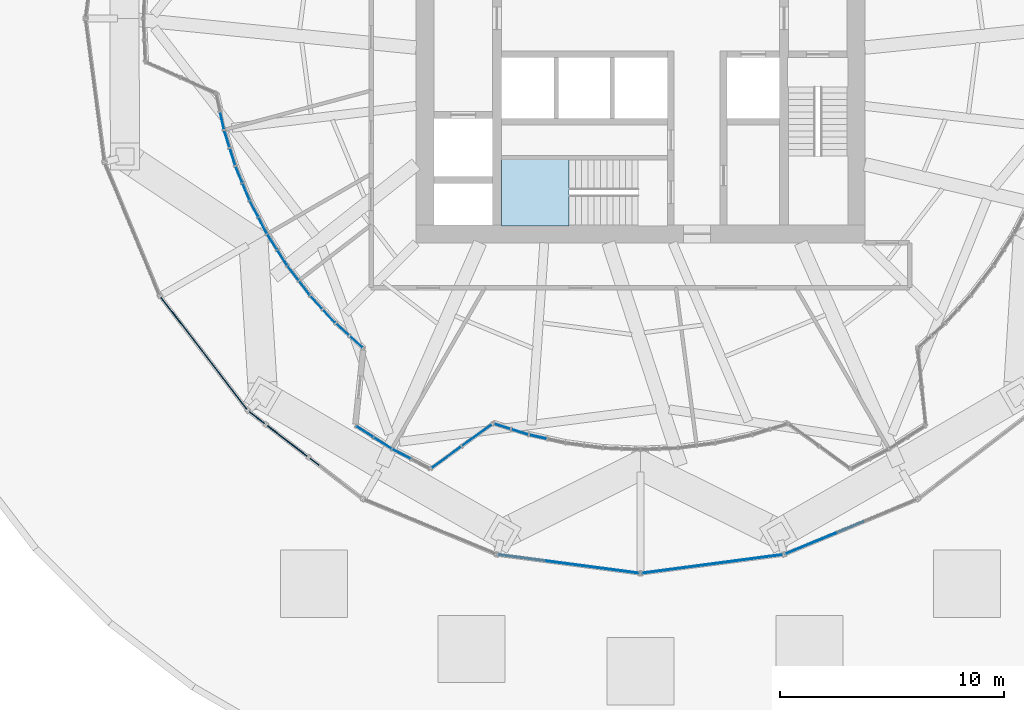
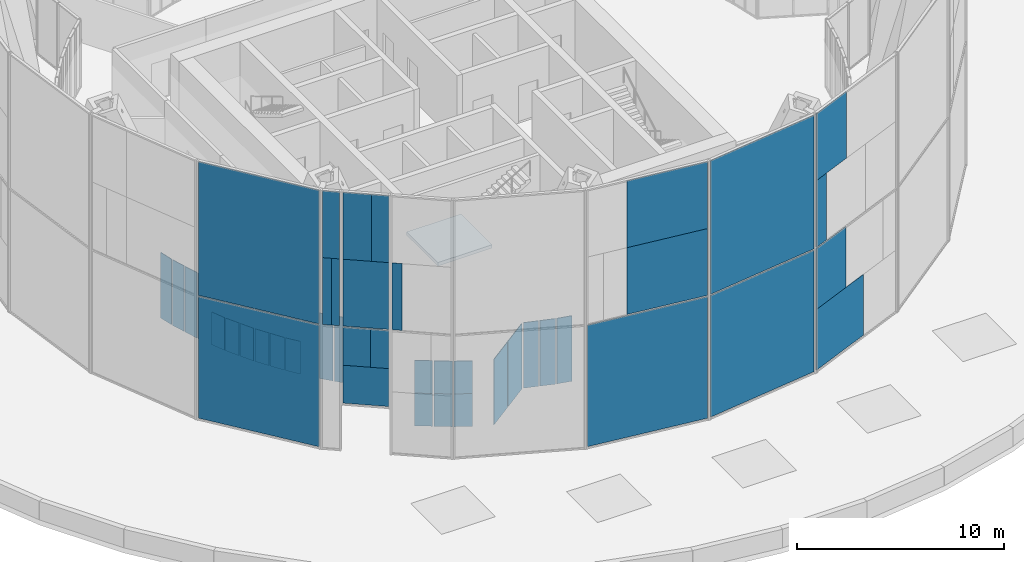
# One storey, part 16 of 27: 53 plates, 1 slab, 21 elements without a shape of their own.
"""IFC4 building model written with IfcOpenShell, lengths in metres."""

from ifc_helpers import new_model, si_unit, direction, frame, origin, origin_2d, place, context, subcontext, project, spatial, polyline, rectangle, outline, extrude, material, layer, layer_set, type_object, element, aggregate, save


model = new_model("IFC4")

# Units and contexts
model_context = context("Model", 3, precision=1e-05, world=origin(), true_north=direction((0.0, 1.0)))
body_context = subcontext(model_context, "Body", "Model", "MODEL_VIEW")
ifc_project = project(units=[si_unit("LENGTHUNIT", "METRE"), si_unit("AREAUNIT", "SQUARE_METRE"), si_unit("VOLUMEUNIT", "CUBIC_METRE"), si_unit("PLANEANGLEUNIT", "RADIAN"), si_unit("MASSUNIT", "GRAM", prefix="KILO")], contexts=[model_context])

# Site, building, storey
site_placement = place(None, origin())
site = spatial("IfcSite", under=ifc_project, at=site_placement, CompositionType="ELEMENT")
building_placement = place(site_placement, origin())
building = spatial("IfcBuilding", under=site, at=building_placement, Name="Golbaran Civic Tower", CompositionType="ELEMENT")
storey_placement = place(building_placement, frame((0.0, 0.0, 21.0)))
storey = spatial("IfcBuildingStorey", under=building, at=storey_placement, Name="L04", CompositionType="ELEMENT", Elevation=21.0)

# Curtain wall, plate
ifc_material_1 = material(Name="Aluminium and glass", Category="aluminium")
curtain_wall_type_1 = type_object("IfcCurtainWallType", Name="INNER SKIN CURTAIN WALL", PredefinedType="NOTDEFINED", material=ifc_material_1)
curtain_wall_1_placement = place(storey_placement, origin())
curtain_wall_1 = element("IfcCurtainWall", 1, at=curtain_wall_1_placement, inside=storey, type_object=curtain_wall_type_1, Name="Inner skin L04 facet 39 CW1", ObjectType="INNER SKIN", PredefinedType="USERDEFINED")
ifc_material_2 = material(Name="Clear insulating glass", Category="glass")
ifc_layer_1 = layer(ifc_material_2, 0.031982421875, Name="Clear insulating glass")
ifc_layer_set_1 = layer_set([ifc_layer_1], Name="Clear insulating glass")
plate_type_1 = type_object("IfcPlateType", Name="INNER SKIN CURTAIN WALL GLAZED PANEL", PredefinedType="CURTAIN_PANEL", material=ifc_layer_set_1)
plate_1_placement = place(storey_placement, frame((-18.65087890625, -4.56396484375, 0.06494140625), z_axis=(0.0, 0.0, 1.0), x_axis=(0.216439613921, -0.976296007124, 0.0)))
plate_1 = element("IfcPlate", 2, at=plate_1_placement, type_object=plate_type_1, Name="CW1 panel 2.1", PredefinedType="CURTAIN_PANEL", context=body_context, shape_type="SweptSolid", body=[
    extrude(rectangle(XDim=0.773193359375, YDim=0.031982421875, at=origin_2d()), origin(), (0.0, 0.0, 1.0), 3.8701171875),
])
aggregate(curtain_wall_1, [plate_1])

# Curtain wall, plates
curtain_wall_2_placement = place(storey_placement, origin())
curtain_wall_2 = element("IfcCurtainWall", 3, at=curtain_wall_2_placement, inside=storey, type_object=curtain_wall_type_1, Name="Inner skin L04 facet 40 CW1", ObjectType="INNER SKIN", PredefinedType="USERDEFINED")
plate_2_placement = place(storey_placement, frame((-18.434326171875, -5.372802734375, 0.06494140625), z_axis=(0.0, 0.0, 1.0), x_axis=(0.300705799704, -0.953716950685, 0.0)))
plate_2 = element("IfcPlate", 4, at=plate_2_placement, type_object=plate_type_1, Name="CW1 panel 1.1", PredefinedType="CURTAIN_PANEL", context=body_context, shape_type="SweptSolid", body=[
    extrude(rectangle(XDim=0.773193359375, YDim=0.031982421875, at=origin_2d()), origin(), (0.0, 0.0, 1.0), 3.8701171875),
])
plate_3_placement = place(storey_placement, frame((-18.18212890625, -6.172119140625, 0.06494140625), z_axis=(0.0, 0.0, 1.0), x_axis=(0.300705799704, -0.953716950685, 0.0)))
plate_3 = element("IfcPlate", 5, at=plate_3_placement, type_object=plate_type_1, Name="CW1 panel 2.1", PredefinedType="CURTAIN_PANEL", context=body_context, shape_type="SweptSolid", body=[
    extrude(rectangle(XDim=0.773193359375, YDim=0.031982421875, at=origin_2d()), origin(), (0.0, 0.0, 1.0), 3.8701171875),
])
aggregate(curtain_wall_2, [plate_2, plate_3])

# Curtain wall, plate
curtain_wall_3_placement = place(storey_placement, origin())
curtain_wall_3 = element("IfcCurtainWall", 6, at=curtain_wall_3_placement, inside=storey, type_object=curtain_wall_type_1, Name="Inner skin L04 facet 41 CW1", ObjectType="INNER SKIN", PredefinedType="USERDEFINED")
plate_4_placement = place(storey_placement, frame((-17.895751953125, -6.958984375, 0.06494140625), z_axis=(0.0, 0.0, 1.0), x_axis=(0.382683432188, -0.923879532585, 0.0)))
plate_4 = element("IfcPlate", 7, at=plate_4_placement, type_object=plate_type_1, Name="CW1 panel 1.1", PredefinedType="CURTAIN_PANEL", context=body_context, shape_type="SweptSolid", body=[
    extrude(rectangle(XDim=0.773193359375, YDim=0.031982421875, at=origin_2d()), origin(), (0.0, 0.0, 1.0), 3.8701171875),
])

curtain_wall_4_placement = place(storey_placement, origin())
curtain_wall_4 = element("IfcCurtainWall", 8, at=curtain_wall_4_placement, inside=storey, type_object=curtain_wall_type_1, Name="Inner skin L04 facet 44 CW1", ObjectType="INNER SKIN", PredefinedType="USERDEFINED")
plate_5_placement = place(storey_placement, frame((-14.974609375, -12.018798828125, 0.06494140625), z_axis=(0.0, 0.0, 1.0), x_axis=(0.608761428718, -0.793353340514, 0.0)))
plate_5 = element("IfcPlate", 9, at=plate_5_placement, type_object=plate_type_1, Name="CW1 panel 2.1", PredefinedType="CURTAIN_PANEL", context=body_context, shape_type="SweptSolid", body=[
    extrude(rectangle(XDim=0.773193359375, YDim=0.031982421875, at=origin_2d()), origin(), (0.0, 0.0, 1.0), 3.8701171875),
])

# Curtain wall, plates
curtain_wall_5_placement = place(storey_placement, origin())
curtain_wall_5 = element("IfcCurtainWall", 10, at=curtain_wall_5_placement, inside=storey, type_object=curtain_wall_type_1, Name="Inner skin L04 facet 45 CW1", ObjectType="INNER SKIN", PredefinedType="USERDEFINED")
plate_6_placement = place(storey_placement, frame((-14.4365234375, -12.66015625, 0.06494140625), z_axis=(0.0, 0.0, 1.0), x_axis=(0.67559020804, -0.737277336421, 0.0)))
plate_6 = element("IfcPlate", 11, at=plate_6_placement, type_object=plate_type_1, Name="CW1 panel 1.1", PredefinedType="CURTAIN_PANEL", context=body_context, shape_type="SweptSolid", body=[
    extrude(rectangle(XDim=0.773193359375, YDim=0.031982421875, at=origin_2d()), origin(), (0.0, 0.0, 1.0), 3.8701171875),
])
plate_7_placement = place(storey_placement, frame((-13.8701171875, -13.278076171875, 0.06494140625), z_axis=(0.0, 0.0, 1.0), x_axis=(0.67559020804, -0.737277336421, 0.0)))
plate_7 = element("IfcPlate", 12, at=plate_7_placement, type_object=plate_type_1, Name="CW1 panel 2.1", PredefinedType="CURTAIN_PANEL", context=body_context, shape_type="SweptSolid", body=[
    extrude(rectangle(XDim=0.773193359375, YDim=0.031982421875, at=origin_2d()), origin(), (0.0, 0.0, 1.0), 3.8701171875),
])
aggregate(curtain_wall_5, [plate_6, plate_7])

curtain_wall_6_placement = place(storey_placement, origin())
curtain_wall_6 = element("IfcCurtainWall", 13, at=curtain_wall_6_placement, inside=storey, type_object=curtain_wall_type_1, Name="Inner skin L04 facet 46 CW1", ObjectType="INNER SKIN", PredefinedType="USERDEFINED")
plate_8_placement = place(storey_placement, frame((-13.278076171875, -13.8701171875, 0.06494140625), z_axis=(0.0, 0.0, 1.0), x_axis=(0.737277336421, -0.67559020804, 0.0)))
plate_8 = element("IfcPlate", 14, at=plate_8_placement, type_object=plate_type_1, Name="CW1 panel 1.1", PredefinedType="CURTAIN_PANEL", context=body_context, shape_type="SweptSolid", body=[
    extrude(rectangle(XDim=0.773193359375, YDim=0.031982421875, at=origin_2d()), origin(), (0.0, 0.0, 1.0), 3.8701171875),
])
plate_9_placement = place(storey_placement, frame((-12.672119140625, -14.425537109375, 0.06494140625), z_axis=(0.0, 0.0, 1.0), x_axis=(0.737277336421, -0.67559020804, 0.0)))
plate_9 = element("IfcPlate", 15, at=plate_9_placement, type_object=plate_type_1, Name="CW1 panel 2.1", PredefinedType="CURTAIN_PANEL", context=body_context, shape_type="SweptSolid", body=[
    extrude(rectangle(XDim=0.74072265625, YDim=0.031982421875, at=origin_2d()), origin(), (0.0, 0.0, 1.0), 3.8701171875),
])
aggregate(curtain_wall_6, [plate_8, plate_9])

curtain_wall_7_placement = place(storey_placement, origin())
curtain_wall_7 = element("IfcCurtainWall", 16, at=curtain_wall_7_placement, inside=storey, type_object=curtain_wall_type_1, Name="Inner skin L04 facet 50 CW1", ObjectType="INNER SKIN", PredefinedType="USERDEFINED")
plate_10_placement = place(storey_placement, frame((-8.65380859375, -19.5673828125, 0.06494140625), z_axis=(0.0, 0.0, 1.0), x_axis=(0.809274136458, 0.587431163679, 0.0)))
plate_10 = element("IfcPlate", 17, at=plate_10_placement, type_object=plate_type_1, Name="CW1 panel 1.1", PredefinedType="CURTAIN_PANEL", context=body_context, shape_type="SweptSolid", body=[
    extrude(rectangle(XDim=1.62841796875, YDim=0.031982421875, at=origin_2d()), origin(), (0.0, 0.0, 1.0), 3.8701171875),
])
plate_11_placement = place(storey_placement, frame((-7.283447265625, -18.57275390625, 0.06494140625), z_axis=(0.0, 0.0, 1.0), x_axis=(0.809274136458, 0.587431163679, 0.0)))
plate_11 = element("IfcPlate", 18, at=plate_11_placement, type_object=plate_type_1, Name="CW1 panel 2.1", PredefinedType="CURTAIN_PANEL", context=body_context, shape_type="SweptSolid", body=[
    extrude(rectangle(XDim=1.62841796875, YDim=0.031982421875, at=origin_2d()), origin(), (0.0, 0.0, 1.0), 3.8701171875),
])
aggregate(curtain_wall_7, [plate_10, plate_11])

curtain_wall_8_placement = place(storey_placement, origin())
curtain_wall_8 = element("IfcCurtainWall", 19, at=curtain_wall_8_placement, inside=storey, type_object=curtain_wall_type_1, Name="Inner skin L04 facet 51 CW1", ObjectType="INNER SKIN", PredefinedType="USERDEFINED")
plate_12_placement = place(storey_placement, frame((-6.15673828125, -18.18701171875, 0.06494140625), z_axis=(0.0, 0.0, 1.0), x_axis=(0.953716950685, -0.300705799704, 0.0)))
plate_12 = element("IfcPlate", 20, at=plate_12_placement, type_object=plate_type_1, Name="CW1 panel 1.1", PredefinedType="CURTAIN_PANEL", context=body_context, shape_type="SweptSolid", body=[
    extrude(rectangle(XDim=0.74072265625, YDim=0.031982421875, at=origin_2d()), origin(), (0.0, 0.0, 1.0), 3.8701171875),
])
plate_13_placement = place(storey_placement, frame((-5.372802734375, -18.434326171875, 0.06494140625), z_axis=(0.0, 0.0, 1.0), x_axis=(0.953716950685, -0.300705799704, 0.0)))
plate_13 = element("IfcPlate", 21, at=plate_13_placement, type_object=plate_type_1, Name="CW1 panel 2.1", PredefinedType="CURTAIN_PANEL", context=body_context, shape_type="SweptSolid", body=[
    extrude(rectangle(XDim=0.773193359375, YDim=0.031982421875, at=origin_2d()), origin(), (0.0, 0.0, 1.0), 3.8701171875),
])
aggregate(curtain_wall_8, [plate_12, plate_13])

# Curtain wall, plate
curtain_wall_9_placement = place(storey_placement, origin())
curtain_wall_9 = element("IfcCurtainWall", 22, at=curtain_wall_9_placement, inside=storey, type_object=curtain_wall_type_1, Name="Inner skin L04 facet 52 CW1", ObjectType="INNER SKIN", PredefinedType="USERDEFINED")
plate_14_placement = place(storey_placement, frame((-4.56396484375, -18.65087890625, 0.06494140625), z_axis=(0.0, 0.0, 1.0), x_axis=(0.976296007124, -0.216439613921, 0.0)))
plate_14 = element("IfcPlate", 23, at=plate_14_placement, type_object=plate_type_1, Name="CW1 panel 1.1", PredefinedType="CURTAIN_PANEL", context=body_context, shape_type="SweptSolid", body=[
    extrude(rectangle(XDim=0.773193359375, YDim=0.031982421875, at=origin_2d()), origin(), (0.0, 0.0, 1.0), 3.8701171875),
])
aggregate(curtain_wall_9, [plate_14])

# Plate
ifc_material_3 = material(Name="Aluminium faced opaque infill panel", Category="aluminium")
ifc_layer_2 = layer(ifc_material_3, 0.031982421875, Name="Aluminium faced opaque infill panel")
ifc_layer_set_2 = layer_set([ifc_layer_2], Name="Aluminium faced opaque infill panel")
plate_type_2 = type_object("IfcPlateType", Name="INNER SKIN CURTAIN WALL OPAQUE INFILL PANEL", PredefinedType="CURTAIN_PANEL", material=ifc_layer_set_2)
plate_15_placement = place(storey_placement, frame((-17.5751953125, -7.7333984375, 0.06494140625), z_axis=(0.0, 0.0, 1.0), x_axis=(0.382683432188, -0.923879532585, 0.0)))
plate_15 = element("IfcPlate", 24, at=plate_15_placement, type_object=plate_type_2, Name="CW1 infill panel 2.1 part 1", PredefinedType="CURTAIN_PANEL", context=body_context, shape_type="SweptSolid", body=[
    extrude(rectangle(XDim=0.773193359375, YDim=0.031982421875, at=origin_2d()), origin(), (0.0, 0.0, 1.0), 1.93505859375),
])

plate_16_placement = place(storey_placement, frame((-17.5751953125, -7.7333984375, 2.0), z_axis=(0.0, 0.0, 1.0), x_axis=(0.382683432188, -0.923879532585, 0.0)))
plate_16 = element("IfcPlate", 25, at=plate_16_placement, type_object=plate_type_2, Name="CW1 infill panel 2.1 part 2", PredefinedType="CURTAIN_PANEL", context=body_context, shape_type="SweptSolid", body=[
    extrude(rectangle(XDim=0.773193359375, YDim=0.031982421875, at=origin_2d()), origin(), (0.0, 0.0, 1.0), 1.93505859375),
])

aggregate(curtain_wall_3, [plate_4, plate_15, plate_16])

# Curtain wall, plates
curtain_wall_10_placement = place(storey_placement, origin())
curtain_wall_10 = element("IfcCurtainWall", 26, at=curtain_wall_10_placement, inside=storey, type_object=curtain_wall_type_1, Name="Inner skin L04 facet 42 CW1", ObjectType="INNER SKIN", PredefinedType="USERDEFINED")
plate_17_placement = place(storey_placement, frame((-17.22119140625, -8.492431640625, 0.06494140625), z_axis=(0.0, 0.0, 1.0), x_axis=(0.461748613065, -0.887010833267, 0.0)))
plate_17 = element("IfcPlate", 27, at=plate_17_placement, type_object=plate_type_2, Name="CW1 infill panel 1.1 part 1", PredefinedType="CURTAIN_PANEL", context=body_context, shape_type="SweptSolid", body=[
    extrude(rectangle(XDim=0.773193359375, YDim=0.031982421875, at=origin_2d()), origin(), (0.0, 0.0, 1.0), 1.93505859375),
])
plate_18_placement = place(storey_placement, frame((-17.22119140625, -8.492431640625, 2.0), z_axis=(0.0, 0.0, 1.0), x_axis=(0.461748613065, -0.887010833267, 0.0)))
plate_18 = element("IfcPlate", 28, at=plate_18_placement, type_object=plate_type_2, Name="CW1 infill panel 1.1 part 2", PredefinedType="CURTAIN_PANEL", context=body_context, shape_type="SweptSolid", body=[
    extrude(rectangle(XDim=0.773193359375, YDim=0.031982421875, at=origin_2d()), origin(), (0.0, 0.0, 1.0), 1.93505859375),
])
plate_19_placement = place(storey_placement, frame((-16.834228515625, -9.23583984375, 0.06494140625), z_axis=(0.0, 0.0, 1.0), x_axis=(0.461748613065, -0.887010833267, 0.0)))
plate_19 = element("IfcPlate", 29, at=plate_19_placement, type_object=plate_type_2, Name="CW1 infill panel 2.1 part 1", PredefinedType="CURTAIN_PANEL", context=body_context, shape_type="SweptSolid", body=[
    extrude(rectangle(XDim=0.773193359375, YDim=0.031982421875, at=origin_2d()), origin(), (0.0, 0.0, 1.0), 1.93505859375),
])
plate_20_placement = place(storey_placement, frame((-16.834228515625, -9.23583984375, 2.0), z_axis=(0.0, 0.0, 1.0), x_axis=(0.461748613065, -0.887010833267, 0.0)))
plate_20 = element("IfcPlate", 30, at=plate_20_placement, type_object=plate_type_2, Name="CW1 infill panel 2.1 part 2", PredefinedType="CURTAIN_PANEL", context=body_context, shape_type="SweptSolid", body=[
    extrude(rectangle(XDim=0.773193359375, YDim=0.031982421875, at=origin_2d()), origin(), (0.0, 0.0, 1.0), 1.93505859375),
])
aggregate(curtain_wall_10, [plate_17, plate_18, plate_19, plate_20])

curtain_wall_11_placement = place(storey_placement, origin())
curtain_wall_11 = element("IfcCurtainWall", 31, at=curtain_wall_11_placement, inside=storey, type_object=curtain_wall_type_1, Name="Inner skin L04 facet 43 CW1", ObjectType="INNER SKIN", PredefinedType="USERDEFINED")
plate_21_placement = place(storey_placement, frame((-16.41552734375, -9.9609375, 0.06494140625), z_axis=(0.0, 0.0, 1.0), x_axis=(0.537299608597, -0.843391445653, 0.0)))
plate_21 = element("IfcPlate", 32, at=plate_21_placement, type_object=plate_type_2, Name="CW1 infill panel 1.1 part 1", PredefinedType="CURTAIN_PANEL", context=body_context, shape_type="SweptSolid", body=[
    extrude(rectangle(XDim=0.773193359375, YDim=0.031982421875, at=origin_2d()), origin(), (0.0, 0.0, 1.0), 1.93505859375),
])
plate_22_placement = place(storey_placement, frame((-16.41552734375, -9.9609375, 2.0), z_axis=(0.0, 0.0, 1.0), x_axis=(0.537299608597, -0.843391445653, 0.0)))
plate_22 = element("IfcPlate", 33, at=plate_22_placement, type_object=plate_type_2, Name="CW1 infill panel 1.1 part 2", PredefinedType="CURTAIN_PANEL", context=body_context, shape_type="SweptSolid", body=[
    extrude(rectangle(XDim=0.773193359375, YDim=0.031982421875, at=origin_2d()), origin(), (0.0, 0.0, 1.0), 1.93505859375),
])
plate_23_placement = place(storey_placement, frame((-15.965087890625, -10.667724609375, 0.06494140625), z_axis=(0.0, 0.0, 1.0), x_axis=(0.537299608597, -0.843391445653, 0.0)))
plate_23 = element("IfcPlate", 34, at=plate_23_placement, type_object=plate_type_2, Name="CW1 infill panel 2.1 part 1", PredefinedType="CURTAIN_PANEL", context=body_context, shape_type="SweptSolid", body=[
    extrude(rectangle(XDim=0.773193359375, YDim=0.031982421875, at=origin_2d()), origin(), (0.0, 0.0, 1.0), 1.93505859375),
])
plate_24_placement = place(storey_placement, frame((-15.965087890625, -10.667724609375, 2.0), z_axis=(0.0, 0.0, 1.0), x_axis=(0.537299608597, -0.843391445653, 0.0)))
plate_24 = element("IfcPlate", 35, at=plate_24_placement, type_object=plate_type_2, Name="CW1 infill panel 2.1 part 2", PredefinedType="CURTAIN_PANEL", context=body_context, shape_type="SweptSolid", body=[
    extrude(rectangle(XDim=0.773193359375, YDim=0.031982421875, at=origin_2d()), origin(), (0.0, 0.0, 1.0), 1.93505859375),
])
aggregate(curtain_wall_11, [plate_21, plate_22, plate_23, plate_24])

# Plate
plate_25_placement = place(storey_placement, frame((-15.48486328125, -11.353759765625, 0.06494140625), z_axis=(0.0, 0.0, 1.0), x_axis=(0.608761428718, -0.793353340514, 0.0)))
plate_25 = element("IfcPlate", 36, at=plate_25_placement, type_object=plate_type_2, Name="CW1 infill panel 1.1 part 1", PredefinedType="CURTAIN_PANEL", context=body_context, shape_type="SweptSolid", body=[
    extrude(rectangle(XDim=0.773193359375, YDim=0.031982421875, at=origin_2d()), origin(), (0.0, 0.0, 1.0), 1.93505859375),
])

plate_26_placement = place(storey_placement, frame((-15.48486328125, -11.353759765625, 2.0), z_axis=(0.0, 0.0, 1.0), x_axis=(0.608761428718, -0.793353340514, 0.0)))
plate_26 = element("IfcPlate", 37, at=plate_26_placement, type_object=plate_type_2, Name="CW1 infill panel 1.1 part 2", PredefinedType="CURTAIN_PANEL", context=body_context, shape_type="SweptSolid", body=[
    extrude(rectangle(XDim=0.773193359375, YDim=0.031982421875, at=origin_2d()), origin(), (0.0, 0.0, 1.0), 1.93505859375),
])

aggregate(curtain_wall_4, [plate_25, plate_26, plate_5])

# Curtain wall, plates
curtain_wall_12_placement = place(storey_placement, origin())
curtain_wall_12 = element("IfcCurtainWall", 38, at=curtain_wall_12_placement, inside=storey, type_object=curtain_wall_type_1, Name="Inner skin L04 facet 48 CW1", ObjectType="INNER SKIN", PredefinedType="USERDEFINED")
plate_27_placement = place(storey_placement, frame((-12.2890625, -18.4208984375, 0.06494140625), z_axis=(0.0, 0.0, 1.0), x_axis=(0.843391445747, -0.53729960845, 0.0)))
plate_27 = element("IfcPlate", 39, at=plate_27_placement, type_object=plate_type_2, Name="CW1 infill panel 1.1 part 1", PredefinedType="CURTAIN_PANEL", context=body_context, shape_type="SweptSolid", body=[
    extrude(rectangle(XDim=0.869140625, YDim=0.031982421875, at=origin_2d()), origin(), (0.0, 0.0, 1.0), 1.93505859375),
])
plate_28_placement = place(storey_placement, frame((-12.2890625, -18.4208984375, 2.0), z_axis=(0.0, 0.0, 1.0), x_axis=(0.843391445747, -0.53729960845, 0.0)))
plate_28 = element("IfcPlate", 40, at=plate_28_placement, type_object=plate_type_2, Name="CW1 infill panel 1.1 part 2", PredefinedType="CURTAIN_PANEL", context=body_context, shape_type="SweptSolid", body=[
    extrude(rectangle(XDim=0.869140625, YDim=0.031982421875, at=origin_2d()), origin(), (0.0, 0.0, 1.0), 1.93505859375),
])
plate_29_placement = place(storey_placement, frame((-11.487548828125, -18.931396484375, 0.06494140625), z_axis=(0.0, 0.0, 1.0), x_axis=(0.843391445747, -0.53729960845, 0.0)))
plate_29 = element("IfcPlate", 41, at=plate_29_placement, type_object=plate_type_2, Name="CW1 infill panel 2.1 part 1", PredefinedType="CURTAIN_PANEL", context=body_context, shape_type="SweptSolid", body=[
    extrude(rectangle(XDim=0.901611328125, YDim=0.031982421875, at=origin_2d()), origin(), (0.0, 0.0, 1.0), 1.93505859375),
])
plate_30_placement = place(storey_placement, frame((-11.487548828125, -18.931396484375, 2.0), z_axis=(0.0, 0.0, 1.0), x_axis=(0.843391445747, -0.53729960845, 0.0)))
plate_30 = element("IfcPlate", 42, at=plate_30_placement, type_object=plate_type_2, Name="CW1 infill panel 2.1 part 2", PredefinedType="CURTAIN_PANEL", context=body_context, shape_type="SweptSolid", body=[
    extrude(rectangle(XDim=0.901611328125, YDim=0.031982421875, at=origin_2d()), origin(), (0.0, 0.0, 1.0), 1.93505859375),
])
aggregate(curtain_wall_12, [plate_27, plate_28, plate_29, plate_30])

curtain_wall_13_placement = place(storey_placement, origin())
curtain_wall_13 = element("IfcCurtainWall", 43, at=curtain_wall_13_placement, inside=storey, type_object=curtain_wall_type_1, Name="Inner skin L04 facet 49 CW1", ObjectType="INNER SKIN", PredefinedType="USERDEFINED")
plate_31_placement = place(storey_placement, frame((-10.6513671875, -19.414306640625, 0.06494140625), z_axis=(0.0, 0.0, 1.0), x_axis=(0.88701083317, -0.461748613251, 0.0)))
plate_31 = element("IfcPlate", 44, at=plate_31_placement, type_object=plate_type_2, Name="CW1 infill panel 1.1 part 1", PredefinedType="CURTAIN_PANEL", context=body_context, shape_type="SweptSolid", body=[
    extrude(rectangle(XDim=0.901611328125, YDim=0.031982421875, at=origin_2d()), origin(), (0.0, 0.0, 1.0), 1.93505859375),
])
plate_32_placement = place(storey_placement, frame((-10.6513671875, -19.414306640625, 2.0), z_axis=(0.0, 0.0, 1.0), x_axis=(0.88701083317, -0.461748613251, 0.0)))
plate_32 = element("IfcPlate", 45, at=plate_32_placement, type_object=plate_type_2, Name="CW1 infill panel 1.1 part 2", PredefinedType="CURTAIN_PANEL", context=body_context, shape_type="SweptSolid", body=[
    extrude(rectangle(XDim=0.901611328125, YDim=0.031982421875, at=origin_2d()), origin(), (0.0, 0.0, 1.0), 1.93505859375),
])
aggregate(curtain_wall_13, [plate_31, plate_32])

# Curtain wall, plate
curtain_wall_type_2 = type_object("IfcCurtainWallType", Name="OUTER SKIN TERRACOTTA SCREEN", PredefinedType="NOTDEFINED", material=ifc_material_1)
curtain_wall_14_placement = place(storey_placement, origin())
curtain_wall_14 = element("IfcCurtainWall", 46, at=curtain_wall_14_placement, inside=storey, type_object=curtain_wall_type_2, Name="Outer skin L04 facet 16 left of the opening CW3", ObjectType="OUTER SKIN", PredefinedType="USERDEFINED")
ifc_material_4 = material(Name="Clear laminated glass", Category="glass")
ifc_layer_3 = layer(ifc_material_4, 0.0400390625, Name="Clear laminated glass")
ifc_layer_set_3 = layer_set([ifc_layer_3], Name="Clear laminated glass")
plate_type_3 = type_object("IfcPlateType", Name="OUTER SKIN CLEAR GLASS PANEL", PredefinedType="CURTAIN_PANEL", material=ifc_layer_set_3)
plate_33_placement = place(storey_placement, frame((-17.252197265625, -17.6728515625, 7.330078125), z_axis=(0.0, 0.0, 1.0), x_axis=(0.793353340557, -0.608761428663, 0.0)))
plate_33 = element("IfcPlate", 47, at=plate_33_placement, type_object=plate_type_3, Name="CW3 panel 1.2 part 1", PredefinedType="CURTAIN_PANEL", context=body_context, shape_type="SweptSolid", body=[
    extrude(rectangle(XDim=0.43994140625, YDim=0.0400390625, at=origin_2d()), origin(), (0.0, 0.0, 1.0), 3.93994140625),
])

# Curtain wall, plates
curtain_wall_15_placement = place(storey_placement, origin())
curtain_wall_15 = element("IfcCurtainWall", 48, at=curtain_wall_15_placement, inside=storey, type_object=curtain_wall_type_2, Name="Outer skin L04 facet 16 over the opening CW3", ObjectType="OUTER SKIN", PredefinedType="USERDEFINED")
plate_34_placement = place(storey_placement, frame((-15.744873046875, -18.82958984375, 2.77978515625), z_axis=(0.0, 0.0, 1.0), x_axis=(0.793353340312, -0.608761428981, 0.0)))
plate_34 = element("IfcPlate", 49, at=plate_34_placement, type_object=plate_type_3, Name="CW3 panel 1.1 part 1", PredefinedType="CURTAIN_PANEL", context=body_context, shape_type="SweptSolid", body=[
    extrude(rectangle(XDim=2.239990234375, YDim=0.0400390625, at=origin_2d()), origin(), (0.0, 0.0, 1.0), 2.235107421875),
])
plate_35_placement = place(storey_placement, frame((-16.098388671875, -18.558349609375, 5.01513671875), z_axis=(0.0, 0.0, 1.0), x_axis=(0.793353340312, -0.608761428981, 0.0)))
plate_35 = element("IfcPlate", 50, at=plate_35_placement, type_object=plate_type_3, Name="CW3 panel 1.1 part 2", PredefinedType="CURTAIN_PANEL", context=body_context, shape_type="SweptSolid", body=[
    extrude(rectangle(XDim=1.34912109375, YDim=0.0400390625, at=origin_2d()), origin(), (0.0, 0.0, 1.0), 2.235107421875),
])
plate_36_placement = place(storey_placement, frame((-15.192626953125, -19.253173828125, 11.27001953125), z_axis=(0.0, 0.0, 1.0), x_axis=(0.793353340312, -0.608761428981, 0.0)))
plate_36 = element("IfcPlate", 51, at=plate_36_placement, type_object=plate_type_3, Name="CW3 panel 1.2 part 3", PredefinedType="CURTAIN_PANEL", context=body_context, shape_type="SweptSolid", body=[
    extrude(rectangle(XDim=0.847900390625, YDim=0.0400390625, at=origin_2d()), origin(), (0.0, 0.0, 1.0), 3.93994140625),
])

curtain_wall_16_placement = place(storey_placement, origin())
curtain_wall_16 = element("IfcCurtainWall", 52, at=curtain_wall_16_placement, inside=storey, type_object=curtain_wall_type_2, Name="Outer skin L04 facet 18 CW3", ObjectType="OUTER SKIN", PredefinedType="USERDEFINED")
plate_37_placement = place(storey_placement, frame((-3.200927734375, -24.3134765625, 0.080078125), z_axis=(0.0, 0.0, 1.0), x_axis=(0.991444861369, -0.130526192255, 0.0)))
plate_37 = element("IfcPlate", 53, at=plate_37_placement, type_object=plate_type_3, Name="CW3 panel 1.1", PredefinedType="CURTAIN_PANEL", context=body_context, shape_type="SweptSolid", body=[
    extrude(rectangle(XDim=6.297119140625, YDim=0.0400390625, at=origin_2d()), origin(), (0.0, 0.0, 1.0), 7.169921875),
])
plate_38_placement = place(storey_placement, frame((-2.169921875, -24.44921875, 7.330078125), z_axis=(0.0, 0.0, 1.0), x_axis=(0.991444861369, -0.130526192255, 0.0)))
plate_38 = element("IfcPlate", 54, at=plate_38_placement, type_object=plate_type_3, Name="CW3 panel 1.2 part 3", PredefinedType="CURTAIN_PANEL", context=body_context, shape_type="SweptSolid", body=[
    extrude(rectangle(XDim=4.217041015625, YDim=0.0400390625, at=origin_2d()), origin(), (0.0, 0.0, 1.0), 3.93994140625),
])
plate_39_placement = place(storey_placement, frame((-2.169921875, -24.44921875, 11.27001953125), z_axis=(0.0, 0.0, 1.0), x_axis=(0.991444861369, -0.130526192255, 0.0)))
plate_39 = element("IfcPlate", 55, at=plate_39_placement, type_object=plate_type_3, Name="CW3 panel 1.2 part 5", PredefinedType="CURTAIN_PANEL", context=body_context, shape_type="SweptSolid", body=[
    extrude(rectangle(XDim=4.217041015625, YDim=0.0400390625, at=origin_2d()), origin(), (0.0, 0.0, 1.0), 3.93994140625),
])
aggregate(curtain_wall_16, [plate_37, plate_38, plate_39])

curtain_wall_17_placement = place(storey_placement, origin())
curtain_wall_17 = element("IfcCurtainWall", 56, at=curtain_wall_17_placement, inside=storey, type_object=curtain_wall_type_2, Name="Outer skin L04 facet 20 CW3", ObjectType="OUTER SKIN", PredefinedType="USERDEFINED")
plate_40_placement = place(storey_placement, frame((8.202880859375, -23.146240234375, 0.080078125), z_axis=(0.0, 0.0, 1.0), x_axis=(0.923879532538, 0.382683432301, 0.0)))
plate_40 = element("IfcPlate", 57, at=plate_40_placement, type_object=plate_type_3, Name="CW3 panel 1.1 part 1", PredefinedType="CURTAIN_PANEL", context=body_context, shape_type="SweptSolid", body=[
    extrude(rectangle(XDim=3.739013671875, YDim=0.0400390625, at=origin_2d()), origin(), (0.0, 0.0, 1.0), 3.5849609375),
])
plate_41_placement = place(storey_placement, frame((7.560791015625, -23.412109375, 3.6650390625), z_axis=(0.0, 0.0, 1.0), x_axis=(0.923879532538, 0.382683432301, 0.0)))
plate_41 = element("IfcPlate", 58, at=plate_41_placement, type_object=plate_type_3, Name="CW3 panel 1.1 part 3", PredefinedType="CURTAIN_PANEL", context=body_context, shape_type="SweptSolid", body=[
    extrude(rectangle(XDim=2.34912109375, YDim=0.0400390625, at=origin_2d()), origin(), (0.0, 0.0, 1.0), 3.5849609375),
])
plate_42_placement = place(storey_placement, frame((6.8408203125, -23.71044921875, 7.330078125), z_axis=(0.0, 0.0, 1.0), x_axis=(0.923879532538, 0.382683432301, 0.0)))
plate_42 = element("IfcPlate", 59, at=plate_42_placement, type_object=plate_type_3, Name="CW3 panel 1.2 part 1", PredefinedType="CURTAIN_PANEL", context=body_context, shape_type="SweptSolid", body=[
    extrude(rectangle(XDim=0.7900390625, YDim=0.0400390625, at=origin_2d()), origin(), (0.0, 0.0, 1.0), 3.93994140625),
])

# Plate
ifc_material_5 = material(Name="Terracotta baguette screen", Category="masonry")
ifc_layer_4 = layer(ifc_material_5, 0.0400390625, Name="Terracotta baguette screen")
ifc_layer_set_4 = layer_set([ifc_layer_4], Name="Terracotta baguette screen")
plate_type_4 = type_object("IfcPlateType", Name="OUTER SKIN TERRACOTTA INFILL PANEL", PredefinedType="CURTAIN_PANEL", material=ifc_layer_set_4)
plate_43_placement = place(storey_placement, frame((-16.919189453125, -17.9287109375, 7.330078125), z_axis=(0.0, 0.0, 1.0), x_axis=(0.793353340557, -0.608761428663, 0.0)))
plate_43 = element("IfcPlate", 60, at=plate_43_placement, type_object=plate_type_4, Name="CW3 infill panel 1.2 part 2", PredefinedType="CURTAIN_PANEL", context=body_context, shape_type="SweptSolid", body=[
    extrude(rectangle(XDim=0.39990234375, YDim=0.0400390625, at=origin_2d()), origin(), (0.0, 0.0, 1.0), 3.93994140625),
])

plate_44_placement = place(storey_placement, frame((-17.093505859375, -17.794677734375, 11.27001953125), z_axis=(0.0, 0.0, 1.0), x_axis=(0.793353340557, -0.608761428663, 0.0)))
plate_44 = element("IfcPlate", 61, at=plate_44_placement, type_object=plate_type_4, Name="CW3 infill panel 1.2 part 3", PredefinedType="CURTAIN_PANEL", context=body_context, shape_type="SweptSolid", body=[
    extrude(rectangle(XDim=0.840087890625, YDim=0.0400390625, at=origin_2d()), origin(), (0.0, 0.0, 1.0), 3.93994140625),
])

aggregate(curtain_wall_14, [plate_33, plate_43, plate_44])

# Curtain wall, plate
curtain_wall_18_placement = place(storey_placement, origin())
curtain_wall_18 = element("IfcCurtainWall", 62, at=curtain_wall_18_placement, inside=storey, type_object=curtain_wall_type_2, Name="Outer skin L04 facet 16 right of the opening CW3", ObjectType="OUTER SKIN", PredefinedType="USERDEFINED")
plate_45_placement = place(storey_placement, frame((-14.53271484375, -19.759765625, 7.330078125), z_axis=(0.0, 0.0, 1.0), x_axis=(0.793353340227, -0.608761429092, 0.0)))
plate_45 = element("IfcPlate", 63, at=plate_45_placement, type_object=plate_type_4, Name="CW3 infill panel 1.2 part 1", PredefinedType="CURTAIN_PANEL", context=body_context, shape_type="SweptSolid", body=[
    extrude(rectangle(XDim=0.49609375, YDim=0.0400390625, at=origin_2d()), origin(), (0.0, 0.0, 1.0), 3.93994140625),
])
aggregate(curtain_wall_18, [plate_45])

# Plate
plate_46_placement = place(storey_placement, frame((-15.209716796875, -19.240234375, 5.01513671875), z_axis=(0.0, 0.0, 1.0), x_axis=(0.793353340312, -0.608761428981, 0.0)))
plate_46 = element("IfcPlate", 64, at=plate_46_placement, type_object=plate_type_4, Name="CW3 infill panel 1.1 part 3", PredefinedType="CURTAIN_PANEL", context=body_context, shape_type="SweptSolid", body=[
    extrude(rectangle(XDim=0.89111328125, YDim=0.0400390625, at=origin_2d()), origin(), (0.0, 0.0, 1.0), 2.235107421875),
])

plate_47_placement = place(storey_placement, frame((-15.744873046875, -18.82958984375, 7.330078125), z_axis=(0.0, 0.0, 1.0), x_axis=(0.793353340312, -0.608761428981, 0.0)))
plate_47 = element("IfcPlate", 65, at=plate_47_placement, type_object=plate_type_4, Name="CW3 infill panel 1.2 part 1", PredefinedType="CURTAIN_PANEL", context=body_context, shape_type="SweptSolid", body=[
    extrude(rectangle(XDim=2.239990234375, YDim=0.0400390625, at=origin_2d()), origin(), (0.0, 0.0, 1.0), 3.93994140625),
])

plate_48_placement = place(storey_placement, frame((-16.081298828125, -18.571533203125, 11.27001953125), z_axis=(0.0, 0.0, 1.0), x_axis=(0.793353340312, -0.608761428981, 0.0)))
plate_48 = element("IfcPlate", 66, at=plate_48_placement, type_object=plate_type_4, Name="CW3 infill panel 1.2 part 2", PredefinedType="CURTAIN_PANEL", context=body_context, shape_type="SweptSolid", body=[
    extrude(rectangle(XDim=1.39208984375, YDim=0.0400390625, at=origin_2d()), origin(), (0.0, 0.0, 1.0), 3.93994140625),
])

aggregate(curtain_wall_15, [plate_34, plate_35, plate_46, plate_47, plate_48, plate_36])

plate_49_placement = place(storey_placement, frame((7.580810546875, -23.40380859375, 11.27001953125), z_axis=(0.0, 0.0, 1.0), x_axis=(0.923879532538, 0.382683432301, 0.0)))
plate_49 = element("IfcPlate", 67, at=plate_49_placement, type_object=plate_type_4, Name="CW3 infill panel 1.2 part 4", PredefinedType="CURTAIN_PANEL", context=body_context, shape_type="SweptSolid", body=[
    extrude(rectangle(XDim=2.39208984375, YDim=0.0400390625, at=origin_2d()), origin(), (0.0, 0.0, 1.0), 3.93994140625),
])

aggregate(curtain_wall_17, [plate_40, plate_41, plate_42, plate_49])

# Curtain wall, plates
curtain_wall_19_placement = place(storey_placement, origin())
curtain_wall_19 = element("IfcCurtainWall", 68, at=curtain_wall_19_placement, inside=storey, type_object=curtain_wall_type_2, Name="Outer skin L04 facet 15 CW3", ObjectType="OUTER SKIN", PredefinedType="USERDEFINED")
ifc_layer_5 = layer(ifc_material_5, 0.0400390625, Name="Terracotta baguette screen")
ifc_layer_set_5 = layer_set([ifc_layer_5], Name="Terracotta baguette screen")
plate_type_5 = type_object("IfcPlateType", Name="OUTER SKIN TERRACOTTA SCREEN PANEL", PredefinedType="CURTAIN_PANEL", material=ifc_layer_set_5)
plate_50_placement = place(storey_placement, frame((-19.455810546875, -14.928955078125, 0.080078125), z_axis=(0.0, 0.0, 1.0), x_axis=(0.608761428981, -0.793353340312, 0.0)))
plate_50 = element("IfcPlate", 69, at=plate_50_placement, type_object=plate_type_5, Name="CW3 terracotta screen panel 1.1", PredefinedType="CURTAIN_PANEL", context=body_context, shape_type="SweptSolid", body=[
    extrude(rectangle(XDim=6.297119140625, YDim=0.0400390625, at=origin_2d()), origin(), (0.0, 0.0, 1.0), 7.169921875),
])
plate_51_placement = place(storey_placement, frame((-19.455810546875, -14.928955078125, 7.330078125), z_axis=(0.0, 0.0, 1.0), x_axis=(0.608761428981, -0.793353340312, 0.0)))
plate_51 = element("IfcPlate", 70, at=plate_51_placement, type_object=plate_type_5, Name="CW3 terracotta screen panel 1.2", PredefinedType="CURTAIN_PANEL", context=body_context, shape_type="SweptSolid", body=[
    extrude(rectangle(XDim=6.297119140625, YDim=0.0400390625, at=origin_2d()), origin(), (0.0, 0.0, 1.0), 7.8798828125),
])
aggregate(curtain_wall_19, [plate_50, plate_51])

curtain_wall_20_placement = place(storey_placement, origin())
curtain_wall_20 = element("IfcCurtainWall", 71, at=curtain_wall_20_placement, inside=storey, type_object=curtain_wall_type_2, Name="Outer skin L04 facet 19 CW3", ObjectType="OUTER SKIN", PredefinedType="USERDEFINED")
plate_52_placement = place(storey_placement, frame((3.200927734375, -24.3134765625, 0.080078125), z_axis=(0.0, 0.0, 1.0), x_axis=(0.991444861369, 0.130526192255, 0.0)))
plate_52 = element("IfcPlate", 72, at=plate_52_placement, type_object=plate_type_5, Name="CW3 terracotta screen panel 1.1", PredefinedType="CURTAIN_PANEL", context=body_context, shape_type="SweptSolid", body=[
    extrude(rectangle(XDim=6.297119140625, YDim=0.0400390625, at=origin_2d()), origin(), (0.0, 0.0, 1.0), 7.169921875),
])
plate_53_placement = place(storey_placement, frame((3.200927734375, -24.3134765625, 7.330078125), z_axis=(0.0, 0.0, 1.0), x_axis=(0.991444861369, 0.130526192255, 0.0)))
plate_53 = element("IfcPlate", 73, at=plate_53_placement, type_object=plate_type_5, Name="CW3 terracotta screen panel 1.2", PredefinedType="CURTAIN_PANEL", context=body_context, shape_type="SweptSolid", body=[
    extrude(rectangle(XDim=6.297119140625, YDim=0.0400390625, at=origin_2d()), origin(), (0.0, 0.0, 1.0), 7.8798828125),
])
aggregate(curtain_wall_20, [plate_52, plate_53])

# Stair, slab
ifc_material_6 = material(Name="Concrete C35/45", Category="concrete")
stair_type = type_object("IfcStairType", Name="EXIT STAIR 2900 x 7400, 4000 RISE", PredefinedType="HALF_TURN_STAIR", material=ifc_material_6)
stair_placement = place(storey_placement, origin())
stair = element("IfcStair", 74, at=stair_placement, inside=storey, type_object=stair_type, Name="Stair S3 L04", PredefinedType="HALF_TURN_STAIR")
ifc_layer_6 = layer(ifc_material_6, 0.199951171875, Name="Concrete C35/45")
ifc_layer_set_6 = layer_set([ifc_layer_6], Name="Concrete C35/45")
slab_type = type_object("IfcSlabType", Name="STAIR LANDING 200", PredefinedType="LANDING", material=ifc_layer_set_6)
slab_placement = place(storey_placement, frame((0.0, 0.0, 1.800048828125)))
slab = element("IfcSlab", 75, at=slab_placement, type_object=slab_type, Name="ST29074-40 landing 1", PredefinedType="LANDING", context=body_context, shape_type="SweptSolid", body=[
    extrude(outline(polyline([(-3.175048828125, -9.25), (-6.199951171875, -9.25), (-6.199951171875, -6.25), (-3.175048828125, -6.25), (-3.175048828125, -9.25)])), origin(), (0.0, 0.0, 1.0), 0.199951171875),
])
aggregate(stair, [slab])

save(model, "model.ifc")
